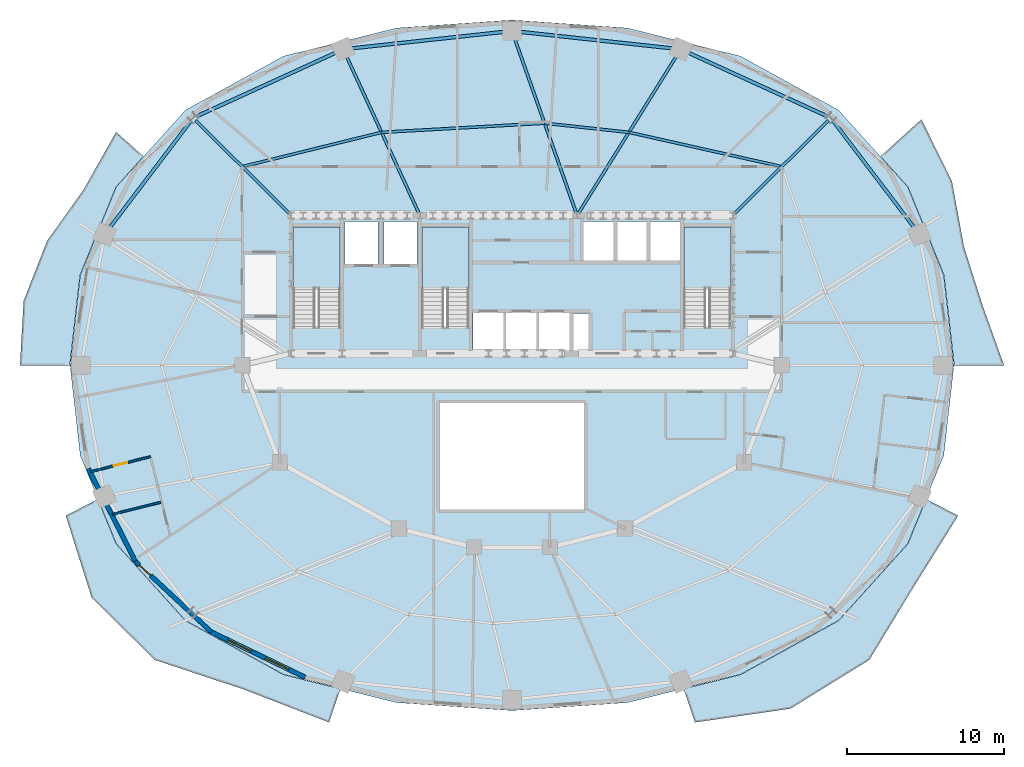
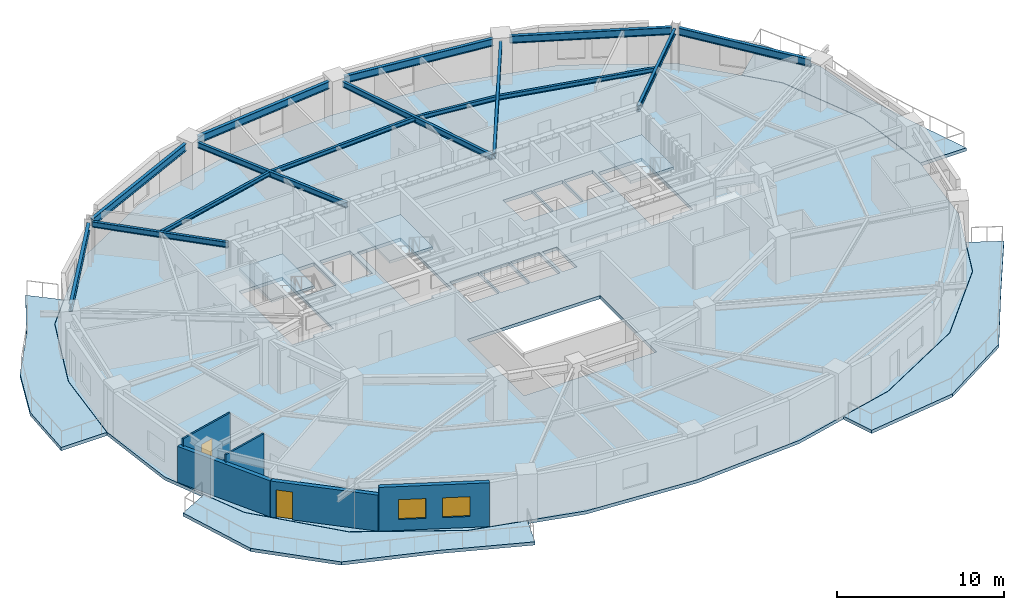
# One storey, part 3 of 10: 15 beams, 8 slabs, 5 walls, 2 doors, 2 windows, 4 openings, 3 elements without a shape of their own.
"""IFC4 building model written with IfcOpenShell, lengths in metres."""

from ifc_helpers import new_model, si_unit, direction, frame, frame_2d, origin, origin_2d, place, context, subcontext, project, spatial, polyline, rectangle, i_section, outline, extrude, material, layer, layer_set, material_profile, profile_set, type_object, element, fill, aggregate, save


model = new_model("IFC4")

# Units and contexts
model_context = context("Model", 3, precision=1e-05, world=origin(), true_north=direction((0.0, 1.0)))
body_context = subcontext(model_context, "Body", "Model", "MODEL_VIEW")
ifc_project = project(units=[si_unit("LENGTHUNIT", "METRE"), si_unit("AREAUNIT", "SQUARE_METRE"), si_unit("VOLUMEUNIT", "CUBIC_METRE"), si_unit("PLANEANGLEUNIT", "RADIAN"), si_unit("MASSUNIT", "GRAM", prefix="KILO")], contexts=[model_context])

# Site, building, storey
site_placement = place(None, origin())
site = spatial("IfcSite", under=ifc_project, at=site_placement, CompositionType="ELEMENT")
building_placement = place(site_placement, origin())
building = spatial("IfcBuilding", under=site, at=building_placement, Name="Haldorwick Loom Tower", CompositionType="ELEMENT")
storey_placement = place(building_placement, frame((0.0, 0.0, 193.449951171875)))
storey = spatial("IfcBuildingStorey", under=building, at=storey_placement, Name="L52", CompositionType="ELEMENT", Elevation=193.449951171875)

# Beams
ifc_material_1 = material(Name="Steel CSA G40.21 350W", Category="steel")
ifc_material_profile_1 = material_profile(ifc_material_1, i_section(OverallWidth=0.166015625, OverallDepth=0.31298828125, WebThickness=0.006591796875, FlangeThickness=0.01123046875, at=origin_2d()), Name="W310X45", Category="steel")
ifc_profile_set_1 = profile_set([ifc_material_profile_1], Name="Steel CSA G40.21 350W")
beam_type_1 = type_object("IfcBeamType", Name="STR-BM-J310", PredefinedType="JOIST", material=ifc_profile_set_1)
beam_1_placement = place(storey_placement, frame((53.19384765625, 38.657470703125, 3.053466796875), z_axis=(-0.975700785876, 0.219107225898, 0.0), x_axis=(-0.219107225898, -0.975700785876, 0.0)))
element("IfcBeam", 1, at=beam_1_placement, inside=storey, type_object=beam_type_1, Name="L52 Mid-Bay Secondary Joist 3", PredefinedType="JOIST", context=body_context, shape_type="SweptSolid", body=[
    extrude(i_section(OverallWidth=0.166015625, OverallDepth=0.31298828125, WebThickness=0.006591796875, FlangeThickness=0.01123046875, at=origin_2d()), origin(), (0.0, 0.0, 1.0), 9.98486328125),
])
beam_2_placement = place(storey_placement, frame((43.45166015625, 40.84521484375, 3.053466796875), z_axis=(-0.994187082722, 0.107666357549, 0.0), x_axis=(-0.107666357549, -0.994187082722, 0.0)))
element("IfcBeam", 2, at=beam_2_placement, inside=storey, type_object=beam_type_1, Name="L52 Mid-Bay Secondary Joist 4", PredefinedType="JOIST", context=body_context, shape_type="SweptSolid", body=[
    extrude(i_section(OverallWidth=0.166015625, OverallDepth=0.31298828125, WebThickness=0.006591796875, FlangeThickness=0.01123046875, at=origin_2d()), origin(), (0.0, 0.0, 1.0), 5.408203125),
])
beam_3_placement = place(storey_placement, frame((38.074951171875, 41.427490234375, 3.053466796875), z_axis=(-0.998432354117, -0.05597172726, 0.0), x_axis=(0.05597172726, -0.998432354117, 0.0)))
element("IfcBeam", 3, at=beam_3_placement, inside=storey, type_object=beam_type_1, Name="L52 Mid-Bay Secondary Joist 5", PredefinedType="JOIST", context=body_context, shape_type="SweptSolid", body=[
    extrude(i_section(OverallWidth=0.166015625, OverallDepth=0.31298828125, WebThickness=0.006591796875, FlangeThickness=0.01123046875, at=origin_2d()), origin(), (0.0, 0.0, 1.0), 10.403076171875),
])
beam_4_placement = place(storey_placement, frame((27.688232421875, 40.84521484375, 3.053466796875), z_axis=(-0.970979703726, -0.239161901132, 0.0), x_axis=(0.239161901132, -0.970979703726, 0.0)))
element("IfcBeam", 4, at=beam_4_placement, inside=storey, type_object=beam_type_1, Name="L52 Mid-Bay Secondary Joist 6", PredefinedType="JOIST", context=body_context, shape_type="SweptSolid", body=[
    extrude(i_section(OverallWidth=0.166015625, OverallDepth=0.31298828125, WebThickness=0.006591796875, FlangeThickness=0.01123046875, at=origin_2d()), origin(), (0.0, 0.0, 1.0), 9.1474609375),
])
ifc_material_profile_2 = material_profile(ifc_material_1, i_section(OverallWidth=0.179931640625, OverallDepth=0.4130859375, WebThickness=0.009765625, FlangeThickness=0.01611328125, at=origin_2d()), Name="W410X74", Category="steel")
ifc_profile_set_2 = profile_set([ifc_material_profile_2], Name="Steel CSA G40.21 350W")
beam_type_2 = type_object("IfcBeamType", Name="STR-BM-J410", PredefinedType="JOIST", material=ifc_profile_set_2)
beam_5_placement = place(storey_placement, frame((50.1962890625, 35.675537109375, 3.003662109375), z_axis=(0.708962390492, 0.70524628951, 0.0), x_axis=(-0.70524628951, 0.708962390492, 0.0)))
element("IfcBeam", 5, at=beam_5_placement, inside=storey, type_object=beam_type_2, Name="L52 Radial Floor Girder 3", PredefinedType="JOIST", context=body_context, shape_type="SweptSolid", body=[
    extrude(i_section(OverallWidth=0.179931640625, OverallDepth=0.4130859375, WebThickness=0.009765625, FlangeThickness=0.01611328125, at=origin_2d()), origin(), (0.0, 0.0, 1.0), 8.409423828125),
])
beam_6_placement = place(storey_placement, frame((40.244140625, 35.700927734375, 3.003662109375), z_axis=(0.529095323143, 0.848562395483, 0.0), x_axis=(-0.848562395483, 0.529095323143, 0.0)))
element("IfcBeam", 6, at=beam_6_placement, inside=storey, type_object=beam_type_2, Name="L52 Radial Floor Girder 4", PredefinedType="JOIST", context=body_context, shape_type="SweptSolid", body=[
    extrude(i_section(OverallWidth=0.179931640625, OverallDepth=0.4130859375, WebThickness=0.009765625, FlangeThickness=0.01611328125, at=origin_2d()), origin(), (0.0, 0.0, 1.0), 11.78271484375),
])
beam_7_placement = place(storey_placement, frame((40.0908203125, 35.7177734375, 3.003662109375), z_axis=(-0.332908014691, 0.942959306521, 0.0), x_axis=(-0.942959306521, -0.332908014691, 0.0)))
element("IfcBeam", 7, at=beam_7_placement, inside=storey, type_object=beam_type_2, Name="L52 Radial Floor Girder 5", PredefinedType="JOIST", context=body_context, shape_type="SweptSolid", body=[
    extrude(i_section(OverallWidth=0.179931640625, OverallDepth=0.4130859375, WebThickness=0.009765625, FlangeThickness=0.01611328125, at=origin_2d()), origin(), (0.0, 0.0, 1.0), 11.768310546875),
])
beam_8_placement = place(storey_placement, frame((30.055419921875, 35.711669921875, 3.003662109375), z_axis=(-0.418729142855, 0.908111174319, 0.0), x_axis=(-0.908111174319, -0.418729142855, 0.0)))
element("IfcBeam", 8, at=beam_8_placement, inside=storey, type_object=beam_type_2, Name="L52 Radial Floor Girder 6", PredefinedType="JOIST", context=body_context, shape_type="SweptSolid", body=[
    extrude(i_section(OverallWidth=0.179931640625, OverallDepth=0.4130859375, WebThickness=0.009765625, FlangeThickness=0.01611328125, at=origin_2d()), origin(), (0.0, 0.0, 1.0), 10.96435546875),
])
beam_9_placement = place(storey_placement, frame((21.8037109375, 35.675537109375, 3.003662109375), z_axis=(-0.708962390492, 0.70524628951, 0.0), x_axis=(-0.70524628951, -0.708962390492, 0.0)))
element("IfcBeam", 9, at=beam_9_placement, inside=storey, type_object=beam_type_2, Name="L52 Radial Floor Girder 7", PredefinedType="JOIST", context=body_context, shape_type="SweptSolid", body=[
    extrude(i_section(OverallWidth=0.179931640625, OverallDepth=0.4130859375, WebThickness=0.009765625, FlangeThickness=0.01611328125, at=origin_2d()), origin(), (0.0, 0.0, 1.0), 8.409423828125),
])
ifc_material_profile_3 = material_profile(ifc_material_1, i_section(OverallWidth=0.2119140625, OverallDepth=0.5439453125, WebThickness=0.01318359375, FlangeThickness=0.021240234375, at=origin_2d()), Name="W530X123", Category="steel")
ifc_profile_set_3 = profile_set([ifc_material_profile_3], Name="Steel CSA G40.21 350W")
beam_type_3 = type_object("IfcBeamType", Name="STR-BM-SP530", PredefinedType="SPANDREL", material=ifc_profile_set_3)
beam_10_placement = place(storey_placement, frame((61.646240234375, 34.75634765625, 2.93798828125), z_axis=(-0.605236944797, 0.796045376001, 0.0), x_axis=(-0.796045376001, -0.605236944797, 0.0)))
element("IfcBeam", 10, at=beam_10_placement, inside=storey, type_object=beam_type_3, Name="L52 Perimeter Spandrel 2", PredefinedType="SPANDREL", context=body_context, shape_type="SweptSolid", body=[
    extrude(i_section(OverallWidth=0.2119140625, OverallDepth=0.5439453125, WebThickness=0.01318359375, FlangeThickness=0.021240234375, at=origin_2d()), origin(), (0.0, 0.0, 1.0), 8.5791015625),
])
beam_11_placement = place(storey_placement, frame((56.113037109375, 41.8583984375, 2.93798828125), z_axis=(-0.909342182232, 0.416049030299, 0.0), x_axis=(-0.416049030299, -0.909342182232, 0.0)))
element("IfcBeam", 11, at=beam_11_placement, inside=storey, type_object=beam_type_3, Name="L52 Perimeter Spandrel 3", PredefinedType="SPANDREL", context=body_context, shape_type="SweptSolid", body=[
    extrude(i_section(OverallWidth=0.2119140625, OverallDepth=0.5439453125, WebThickness=0.01318359375, FlangeThickness=0.021240234375, at=origin_2d()), origin(), (0.0, 0.0, 1.0), 9.772705078125),
])
for number, where, z_axis, x_axis, name in (
    (12, (46.236328125, 46.196533203125, 2.93798828125), (-0.994187774205, 0.107659972233, 0.0), (-0.107659972233, -0.994187774205, 0.0), "L52 Perimeter Spandrel 4"),
    (13, (35.48291015625, 47.2490234375, 2.93798828125), (-0.994187774205, -0.107659972233, 0.0), (0.107659972233, -0.994187774205, 0.0), "L52 Perimeter Spandrel 5"),
):
    element("IfcBeam", number, at=place(storey_placement, frame(where, z_axis=z_axis, x_axis=x_axis)), inside=storey, type_object=beam_type_3, Name=name, PredefinedType="SPANDREL", context=body_context, shape_type="SweptSolid", body=[
        extrude(i_section(OverallWidth=0.2119140625, OverallDepth=0.5439453125, WebThickness=0.01318359375, FlangeThickness=0.021240234375, at=origin_2d()), origin(), (0.0, 0.0, 1.0), 9.776123046875),
    ])
beam_12_placement = place(storey_placement, frame((24.773681640625, 45.92431640625, 2.93798828125), z_axis=(-0.909342182232, -0.416049030299, 0.0), x_axis=(0.416049030299, -0.909342182232, 0.0)))
element("IfcBeam", 14, at=beam_12_placement, inside=storey, type_object=beam_type_3, Name="L52 Perimeter Spandrel 6", PredefinedType="SPANDREL", context=body_context, shape_type="SweptSolid", body=[
    extrude(i_section(OverallWidth=0.2119140625, OverallDepth=0.5439453125, WebThickness=0.01318359375, FlangeThickness=0.021240234375, at=origin_2d()), origin(), (0.0, 0.0, 1.0), 9.772705078125),
])
beam_13_placement = place(storey_placement, frame((15.546142578125, 41.585693359375, 2.93798828125), z_axis=(-0.605236944797, -0.796045376001, 0.0), x_axis=(0.796045376001, -0.605236944797, 0.0)))
element("IfcBeam", 15, at=beam_13_placement, inside=storey, type_object=beam_type_3, Name="L52 Perimeter Spandrel 7", PredefinedType="SPANDREL", context=body_context, shape_type="SweptSolid", body=[
    extrude(i_section(OverallWidth=0.2119140625, OverallDepth=0.5439453125, WebThickness=0.01318359375, FlangeThickness=0.021240234375, at=origin_2d()), origin(), (0.0, 0.0, 1.0), 8.5791015625),
])

# Slabs
ifc_material_2 = material(Name="Concrete C40 (40 MPa)", Category="concrete")
ifc_layer_1 = layer(ifc_material_2, 0.239990234375, Name="Concrete C40 (40 MPa)", Category="concrete")
ifc_layer_set_1 = layer_set([ifc_layer_1], Name="Concrete C40 (40 MPa)")
slab_type_1 = type_object("IfcSlabType", Name="STR-SLB-BAL240", PredefinedType="FLOOR", material=ifc_layer_set_1)
slab_1_placement = place(storey_placement, frame((0.0, 0.0, -0.239990234375)))
element("IfcSlab", 16, at=slab_1_placement, inside=storey, type_object=slab_type_1, Name="L52 Sinusoidal Balcony Terrace BAL_SE", PredefinedType="FLOOR", context=body_context, shape_type="SweptSolid", body=[
    extrude(outline(polyline([(62.392333984375, 17.46240234375), (61.229736328125, 14.62060546875), (61.229248046875, 14.619384765625), (61.228515625, 14.6181640625), (61.227783203125, 14.6171875), (61.22705078125, 14.6162109375), (56.82373046875, 9.72998046875), (56.82275390625, 9.72900390625), (56.8212890625, 9.727783203125), (56.81982421875, 9.72705078125), (50.565673828125, 6.287109375), (50.564453125, 6.286376953125), (50.563232421875, 6.285888671875), (50.56201171875, 6.285400390625), (46.935302734375, 5.3798828125), (47.6591796875, 3.24169921875), (53.75341796875, 4.119873046875), (58.775634765625, 7.2275390625), (61.7333984375, 12.09521484375), (64.43798828125, 16.419189453125), (62.392333984375, 17.46240234375)])), origin(), (0.0, 0.0, 1.0), 0.239990234375),
])
slab_2_placement = place(storey_placement, frame((0.0, 0.0, -0.239990234375)))
element("IfcSlab", 17, at=slab_2_placement, inside=storey, type_object=slab_type_1, Name="L52 Sinusoidal Balcony Terrace BAL_SW", PredefinedType="FLOOR", context=body_context, shape_type="SweptSolid", body=[
    extrude(outline(polyline([(25.064697265625, 5.3798828125), (21.43798828125, 6.285400390625), (21.436767578125, 6.285888671875), (21.435546875, 6.286376953125), (21.434326171875, 6.287109375), (15.18017578125, 9.72705078125), (15.1787109375, 9.727783203125), (15.17724609375, 9.72900390625), (15.17626953125, 9.72998046875), (10.77294921875, 14.6162109375), (10.772216796875, 14.6171875), (10.771484375, 14.6181640625), (10.770751953125, 14.619384765625), (10.770263671875, 14.62060546875), (9.607666015625, 17.46240234375), (7.56201171875, 16.419189453125), (9.211181640625, 11.19287109375), (13.224365234375, 7.2275390625), (18.889404296875, 5.350830078125), (24.3408203125, 3.24169921875), (25.064697265625, 5.3798828125)])), origin(), (0.0, 0.0, 1.0), 0.239990234375),
])
slab_3_placement = place(storey_placement, frame((0.0, 0.0, -0.239990234375)))
element("IfcSlab", 18, at=slab_3_placement, inside=storey, type_object=slab_type_1, Name="L52 Sinusoidal Balcony Terrace BAL_WNW", PredefinedType="FLOOR", context=body_context, shape_type="SweptSolid", body=[
    extrude(outline(polyline([(7.818603515625, 26.0), (7.818603515625, 26.001708984375), (8.472412109375, 31.760986328125), (8.47265625, 31.762451171875), (8.472900390625, 31.763916015625), (8.473388671875, 31.76513671875), (10.770263671875, 37.37939453125), (10.770751953125, 37.380615234375), (10.771484375, 37.3818359375), (10.772216796875, 37.3828125), (10.77294921875, 37.3837890625), (12.5126953125, 39.314208984375), (10.7685546875, 40.871337890625), (8.718505859375, 37.227294921875), (6.367431640625, 33.91552734375), (4.875732421875, 30.102783203125), (4.645263671875, 26.0), (7.818603515625, 26.0)])), origin(), (0.0, 0.0, 1.0), 0.239990234375),
])
slab_4_placement = place(storey_placement, frame((0.0, 0.0, -0.239990234375)))
element("IfcSlab", 19, at=slab_4_placement, inside=storey, type_object=slab_type_1, Name="L52 Sinusoidal Balcony Terrace BAL_ENE", PredefinedType="FLOOR", context=body_context, shape_type="SweptSolid", body=[
    extrude(outline(polyline([(59.48681640625, 39.315185546875), (61.22705078125, 37.3837890625), (61.227783203125, 37.3828125), (61.228515625, 37.3818359375), (61.229248046875, 37.380615234375), (61.229736328125, 37.37939453125), (63.526611328125, 31.76513671875), (63.527099609375, 31.763916015625), (63.52734375, 31.762451171875), (63.527587890625, 31.760986328125), (64.181396484375, 26.001708984375), (64.181396484375, 26.0), (67.354736328125, 26.0), (65.969482421875, 29.86865234375), (64.79833984375, 33.568603515625), (64.038330078125, 37.720947265625), (62.09423828125, 41.673828125), (59.48681640625, 39.315185546875)])), origin(), (0.0, 0.0, 1.0), 0.239990234375),
])

# Stair, slab
stair_type = type_object("IfcStairType", Name="STR-STR-CORE", PredefinedType="HALF_TURN_STAIR", material=ifc_material_2)
stair_1_placement = place(storey_placement, origin())
stair_1 = element("IfcStair", 20, at=stair_1_placement, inside=storey, type_object=stair_type, Name="L52 Exit Stair ST-01", PredefinedType="HALF_TURN_STAIR")
ifc_layer_2 = layer(ifc_material_2, 0.199951171875, Name="Concrete C40 (40 MPa)", Category="concrete")
ifc_layer_set_2 = layer_set([ifc_layer_2], Name="Concrete C40 (40 MPa)")
slab_type_2 = type_object("IfcSlabType", Name="STR-SLB-LAND200", PredefinedType="LANDING", material=ifc_layer_set_2)
slab_5_placement = place(storey_placement, frame((0.0, 0.0, 1.525146484375)))
slab_5 = element("IfcSlab", 21, at=slab_5_placement, type_object=slab_type_2, Name="ST-01 landing 1", PredefinedType="LANDING", context=body_context, shape_type="SweptSolid", body=[
    extrude(outline(polyline([(25.050048828125, 30.919921875), (25.050048828125, 34.800048828125), (22.050048828125, 34.800048828125), (22.050048828125, 30.919921875), (25.050048828125, 30.919921875)])), origin(), (0.0, 0.0, 1.0), 0.199951171875),
])
aggregate(stair_1, [slab_5])

stair_2_placement = place(storey_placement, origin())
stair_2 = element("IfcStair", 22, at=stair_2_placement, inside=storey, type_object=stair_type, Name="L52 Exit Stair ST-02", PredefinedType="HALF_TURN_STAIR")
slab_6_placement = place(storey_placement, frame((0.0, 0.0, 1.525146484375)))
slab_6 = element("IfcSlab", 23, at=slab_6_placement, type_object=slab_type_2, Name="ST-02 landing 1", PredefinedType="LANDING", context=body_context, shape_type="SweptSolid", body=[
    extrude(outline(polyline([(49.949951171875, 30.919921875), (49.949951171875, 34.800048828125), (46.949951171875, 34.800048828125), (46.949951171875, 30.919921875), (49.949951171875, 30.919921875)])), origin(), (0.0, 0.0, 1.0), 0.199951171875),
])
aggregate(stair_2, [slab_6])

stair_3_placement = place(storey_placement, origin())
stair_3 = element("IfcStair", 24, at=stair_3_placement, inside=storey, type_object=stair_type, Name="L52 Exit Stair ST-03", PredefinedType="HALF_TURN_STAIR")
slab_7_placement = place(storey_placement, frame((0.0, 0.0, 1.525146484375)))
slab_7 = element("IfcSlab", 25, at=slab_7_placement, type_object=slab_type_2, Name="ST-03 landing 1", PredefinedType="LANDING", context=body_context, shape_type="SweptSolid", body=[
    extrude(outline(polyline([(33.25, 30.919921875), (33.25, 34.800048828125), (30.25, 34.800048828125), (30.25, 30.919921875), (33.25, 30.919921875)])), origin(), (0.0, 0.0, 1.0), 0.199951171875),
])
aggregate(stair_3, [slab_7])

# Slab
ifc_layer_3 = layer(ifc_material_2, 0.239990234375, Name="Concrete C40 (40 MPa)", Category="concrete")
ifc_layer_set_3 = layer_set([ifc_layer_3], Name="Concrete C40 (40 MPa)")
slab_type_3 = type_object("IfcSlabType", Name="STR-SLB-RES240", PredefinedType="FLOOR", material=ifc_layer_set_3)
slab_8_placement = place(storey_placement, frame((0.0, 0.0, -0.239990234375)))
element("IfcSlab", 26, at=slab_8_placement, inside=storey, type_object=slab_type_3, Name="L52 Residential Structural Floor Slab", PredefinedType="FLOOR", context=body_context, shape_type="SweptSolid", body=[
    extrude(outline(polyline([(56.812744140625, 9.739990234375), (61.2158203125, 14.626220703125), (63.5126953125, 20.240478515625), (64.16650390625, 26.0), (63.5126953125, 31.759521484375), (61.2158203125, 37.373779296875), (56.812744140625, 42.260009765625), (50.558349609375, 45.699951171875), (43.3720703125, 47.494384765625), (36.0, 48.0048828125), (28.6279296875, 47.494384765625), (21.441650390625, 45.699951171875), (15.187255859375, 42.260009765625), (10.7841796875, 37.373779296875), (8.4873046875, 31.759521484375), (7.83349609375, 26.0), (8.4873046875, 20.240478515625), (10.7841796875, 14.626220703125), (15.187255859375, 9.739990234375), (21.441650390625, 6.300048828125), (28.6279296875, 4.505615234375), (36.0, 3.9951171875), (43.3720703125, 4.505615234375), (50.558349609375, 6.300048828125), (56.812744140625, 9.739990234375)]), holes=[polyline([(31.39990234375, 16.800048828125), (31.39990234375, 23.60009765625), (40.60009765625, 23.60009765625), (40.60009765625, 16.800048828125), (31.39990234375, 16.800048828125)]), polyline([(33.5, 26.85009765625), (33.5, 29.35009765625), (35.5, 29.35009765625), (35.5, 26.85009765625), (33.5, 26.85009765625)]), polyline([(35.60009765625, 26.85009765625), (35.60009765625, 29.35009765625), (37.60009765625, 29.35009765625), (37.60009765625, 26.85009765625), (35.60009765625, 26.85009765625)]), polyline([(23.6201171875, 28.39990234375), (22.050048828125, 28.39990234375), (22.050048828125, 34.800048828125), (25.050048828125, 34.800048828125), (25.050048828125, 28.639892578125), (23.6201171875, 28.639892578125), (23.6201171875, 28.39990234375)]), polyline([(30.25, 28.39990234375), (30.25, 34.800048828125), (33.25, 34.800048828125), (33.25, 28.639892578125), (31.820068359375, 28.639892578125), (31.820068359375, 28.39990234375), (30.25, 28.39990234375)]), polyline([(25.35009765625, 32.449951171875), (25.35009765625, 35.14990234375), (27.449951171875, 35.14990234375), (27.449951171875, 32.449951171875), (25.35009765625, 32.449951171875)]), polyline([(29.949951171875, 32.449951171875), (27.85009765625, 32.449951171875), (27.85009765625, 35.14990234375), (29.949951171875, 35.14990234375), (29.949951171875, 32.449951171875)]), polyline([(37.699951171875, 26.85009765625), (37.699951171875, 29.35009765625), (39.699951171875, 29.35009765625), (39.699951171875, 26.85009765625), (37.699951171875, 26.85009765625)]), polyline([(39.89990234375, 26.89990234375), (39.89990234375, 29.300048828125), (40.89990234375, 29.300048828125), (40.89990234375, 26.89990234375), (39.89990234375, 26.89990234375)]), polyline([(46.949951171875, 28.39990234375), (46.949951171875, 34.800048828125), (49.949951171875, 34.800048828125), (49.949951171875, 28.639892578125), (48.52001953125, 28.639892578125), (48.52001953125, 28.39990234375), (46.949951171875, 28.39990234375)]), polyline([(40.550048828125, 32.64990234375), (40.550048828125, 35.14990234375), (42.550048828125, 35.14990234375), (42.550048828125, 32.64990234375), (40.550048828125, 32.64990234375)]), polyline([(42.64990234375, 32.64990234375), (42.64990234375, 35.14990234375), (44.64990234375, 35.14990234375), (44.64990234375, 32.64990234375), (42.64990234375, 32.64990234375)]), polyline([(44.75, 32.64990234375), (44.75, 35.14990234375), (46.75, 35.14990234375), (46.75, 32.64990234375), (44.75, 32.64990234375)])]), origin(), (0.0, 0.0, 1.0), 0.239990234375),
])

# Wall
ifc_material_3 = material(Name="Pressed Clay Face Brick and Insulated Masonry Backup Assembly", Category="masonry")
ifc_layer_4 = layer(ifc_material_3, 0.280029296875, Name="Pressed Clay Face Brick and Insulated Masonry Backup Assembly", Category="masonry")
ifc_layer_set_4 = layer_set([ifc_layer_4], Name="Pressed Clay Face Brick and Insulated Masonry Backup Assembly")
wall_type_1 = type_object("IfcWallType", Name="ARC-WL-EXT280", PredefinedType="STANDARD", material=ifc_layer_set_4)
wall_1_placement = place(storey_placement, frame((8.995849609375, 19.415283203125, 0.0), z_axis=(0.0, 0.0, 1.0), x_axis=(0.453032066879, -0.89149422117, 0.0)))
element("IfcWall", 27, at=wall_1_placement, inside=storey, type_object=wall_type_1, Name="L52 Brick Pier and Spandrel Wall 14", PredefinedType="STANDARD", context=body_context, shape_type="SweptSolid", body=[
    extrude(rectangle(XDim=6.618896484375, YDim=0.280029296875, at=frame_2d((3.3095703125, 0.0))), origin(), (0.0, 0.0, 1.0), 2.64111328125),
])

# Wall, opening, door
wall_2_placement = place(storey_placement, frame((11.994384765625, 13.5146484375, 0.0), z_axis=(0.0, 0.0, 1.0), x_axis=(0.731833707499, -0.681483253329, 0.0)))
wall_2 = element("IfcWall", 28, at=wall_2_placement, inside=storey, type_object=wall_type_1, Name="L52 Brick Pier and Spandrel Wall 15", PredefinedType="STANDARD", context=body_context, shape_type="SweptSolid", body=[
    extrude(rectangle(XDim=6.61865234375, YDim=0.280029296875, at=frame_2d((3.309326171875, 0.0))), origin(), (0.0, 0.0, 1.0), 2.64111328125),
])
opening_1_placement = place(wall_2_placement, frame((0.340087890625, 0.0, 0.0)))
opening_1 = element("IfcOpeningElement", 29, at=opening_1_placement, cuts=wall_2, Name="Opening D-BL10", PredefinedType="OPENING", context=body_context, shape_type="SweptSolid", body=[
    extrude(rectangle(XDim=1.0, YDim=2.0400390625, at=frame_2d((0.5, 1.02001953125))), frame((0.0, 0.14990234375, 0.0), z_axis=(0.0, -1.0, 0.0), x_axis=(1.0, 0.0, 0.0)), (0.0, 0.0, 1.0), 0.300048828125),
])
ifc_material_4 = material(Name="Thermally Broken Anodized Aluminium Curtain Wall Framing", Category="aluminium")
door_type_1 = type_object("IfcDoorType", Name="ARC-DR-BAL100", OperationType="NOTDEFINED", PredefinedType="DOOR", material=ifc_material_4)
door_1_placement = place(opening_1_placement, origin())
door_1 = element("IfcDoor", 30, at=door_1_placement, inside=storey, type_object=door_type_1, Name="L52 Outdoor Terrace Door SLB-L52-BAL_SW", OperationType="SINGLE_SWING_LEFT", OverallHeight=2.0400390625, OverallWidth=1.0, PredefinedType="DOOR", context=body_context, shape_type="SweptSolid", body=[
    extrude(rectangle(XDim=1.0, YDim=2.0400390625, at=frame_2d((0.5, 1.02001953125))), frame((0.0, 0.02490234375, 0.0), z_axis=(0.0, -1.0, 0.0), x_axis=(1.0, 0.0, 0.0)), (0.0, 0.0, 1.0), 0.050048828125),
])
fill(opening_1, door_1)

# Wall, openings, windows
wall_3_placement = place(storey_placement, frame((16.838134765625, 9.004150390625, 0.0), z_axis=(0.0, 0.0, 1.0), x_axis=(0.900371236029, -0.435122554381, 0.0)))
wall_3 = element("IfcWall", 31, at=wall_3_placement, inside=storey, type_object=wall_type_1, Name="L52 Brick Pier and Spandrel Wall 16", PredefinedType="STANDARD", context=body_context, shape_type="SweptSolid", body=[
    extrude(rectangle(XDim=6.6533203125, YDim=0.280029296875, at=frame_2d((3.32666015625, 0.0))), origin(), (0.0, 0.0, 1.0), 3.2099609375),
])
opening_2_placement = place(wall_3_placement, frame((1.1708984375, 0.0, 0.800048828125)))
opening_2 = element("IfcOpeningElement", 32, at=opening_2_placement, cuts=wall_3, Name="Opening W-01B", PredefinedType="OPENING", context=body_context, shape_type="SweptSolid", body=[
    extrude(rectangle(XDim=1.64990234375, YDim=1.449951171875, at=frame_2d((0.824951171875, 0.72509765625))), frame((0.0, 0.14990234375, 0.0), z_axis=(0.0, -1.0, 0.0), x_axis=(1.0, 0.0, 0.0)), (0.0, 0.0, 1.0), 0.300048828125),
])
opening_3_placement = place(wall_3_placement, frame((3.832275390625, 0.0, 0.800048828125)))
opening_3 = element("IfcOpeningElement", 33, at=opening_3_placement, cuts=wall_3, Name="Opening W-01B", PredefinedType="OPENING", context=body_context, shape_type="SweptSolid", body=[
    extrude(rectangle(XDim=1.64990234375, YDim=1.449951171875, at=frame_2d((0.824951171875, 0.72509765625))), frame((0.0, 0.14990234375, 0.0), z_axis=(0.0, -1.0, 0.0), x_axis=(1.0, 0.0, 0.0)), (0.0, 0.0, 1.0), 0.300048828125),
])
ifc_material_5 = material(Name="Triple-Glazed Low-E Argon Insulated Glazing Unit", Category="glass")
window_type = type_object("IfcWindowType", Name="ARC-WIN-W165", PartitioningType="SINGLE_PANEL", PredefinedType="WINDOW", material=ifc_material_5)
window_1_placement = place(opening_2_placement, origin())
window_1 = element("IfcWindow", 34, at=window_1_placement, inside=storey, type_object=window_type, Name="L52 Deep-Set Zone 7A Window 16", OverallHeight=1.449951171875, OverallWidth=1.64990234375, PartitioningType="SINGLE_PANEL", PredefinedType="WINDOW", context=body_context, shape_type="SweptSolid", body=[
    extrude(rectangle(XDim=1.64990234375, YDim=1.449951171875, at=frame_2d((0.824951171875, 0.72509765625))), frame((0.0, 0.030029296875, 0.0), z_axis=(0.0, -1.0, 0.0), x_axis=(1.0, 0.0, 0.0)), (0.0, 0.0, 1.0), 0.06005859375),
])
fill(opening_2, window_1)
window_2_placement = place(opening_3_placement, origin())
window_2 = element("IfcWindow", 35, at=window_2_placement, inside=storey, type_object=window_type, Name="L52 Deep-Set Zone 7A Window 16", OverallHeight=1.449951171875, OverallWidth=1.64990234375, PartitioningType="SINGLE_PANEL", PredefinedType="WINDOW", context=body_context, shape_type="SweptSolid", body=[
    extrude(rectangle(XDim=1.64990234375, YDim=1.449951171875, at=frame_2d((0.824951171875, 0.72509765625))), frame((0.0, 0.030029296875, 0.0), z_axis=(0.0, -1.0, 0.0), x_axis=(1.0, 0.0, 0.0)), (0.0, 0.0, 1.0), 0.06005859375),
])
fill(opening_3, window_2)

# Wall, opening, door
ifc_material_6 = material(Name="Acoustic Gypsum Stud Assembly STC 55")
ifc_layer_5 = layer(ifc_material_6, 0.1201171875, Name="Acoustic Gypsum Stud Assembly STC 55")
ifc_layer_set_5 = layer_set([ifc_layer_5], Name="Acoustic Gypsum Stud Assembly STC 55")
wall_type_2 = type_object("IfcWallType", Name="ARC-WL-PART120", PredefinedType="PARTITIONING", material=ifc_layer_set_5)
wall_4_placement = place(storey_placement, frame((12.956298828125, 20.175048828125, 0.0), z_axis=(0.0, 0.0, 1.0), x_axis=(-0.969933765664, -0.243369041221, 0.0)))
wall_4 = element("IfcWall", 36, at=wall_4_placement, inside=storey, type_object=wall_type_2, Name="L52 Unit 52A Interior Partition", PredefinedType="PARTITIONING", context=body_context, shape_type="SweptSolid", body=[
    extrude(rectangle(XDim=3.928466796875, YDim=0.1201171875, at=frame_2d((1.96435546875, 0.0))), origin(), (0.0, 0.0, 1.0), 3.195068359375),
])
opening_4_placement = place(wall_4_placement, frame((1.51416015625, 0.0, 0.0)))
opening_4 = element("IfcOpeningElement", 37, at=opening_4_placement, cuts=wall_4, Name="Opening D-IN90", PredefinedType="OPENING", context=body_context, shape_type="SweptSolid", body=[
    extrude(rectangle(XDim=0.89990234375, YDim=2.0400390625, at=frame_2d((0.449951171875, 1.02001953125))), frame((0.0, 0.070068359375, 0.0), z_axis=(0.0, -1.0, 0.0), x_axis=(1.0, 0.0, 0.0)), (0.0, 0.0, 1.0), 0.14013671875),
])
ifc_material_7 = material(Name="Solid Core Birch Architectural Door")
door_type_2 = type_object("IfcDoorType", Name="ARC-DR-INT90", OperationType="NOTDEFINED", PredefinedType="DOOR", material=ifc_material_7)
door_2_placement = place(opening_4_placement, origin())
door_2 = element("IfcDoor", 38, at=door_2_placement, inside=storey, type_object=door_type_2, Name="L52 Unit 52A Bedroom 1 to Unit 52A Kitchen and Living Room Door", OperationType="SINGLE_SWING_RIGHT", OverallHeight=2.0400390625, OverallWidth=0.89990234375, PredefinedType="DOOR", context=body_context, shape_type="SweptSolid", body=[
    extrude(rectangle(XDim=0.89990234375, YDim=2.0400390625, at=frame_2d((0.449951171875, 1.02001953125))), frame((0.0, 0.02490234375, 0.0), z_axis=(0.0, -1.0, 0.0), x_axis=(1.0, 0.0, 0.0)), (0.0, 0.0, 1.0), 0.050048828125),
])
fill(opening_4, door_2)

# Wall
wall_5_placement = place(storey_placement, frame((13.61962890625, 17.273193359375, 0.0), z_axis=(0.0, 0.0, 1.0), x_axis=(-0.969921254659, -0.243418897705, 0.0)))
element("IfcWall", 39, at=wall_5_placement, inside=storey, type_object=wall_type_2, Name="L52 Unit 52A Interior Partition", PredefinedType="PARTITIONING", context=body_context, shape_type="SweptSolid", body=[
    extrude(rectangle(XDim=3.1865234375, YDim=0.1201171875, at=frame_2d((1.59326171875, 0.0))), origin(), (0.0, 0.0, 1.0), 3.195068359375),
])

save(model, "model.ifc")
